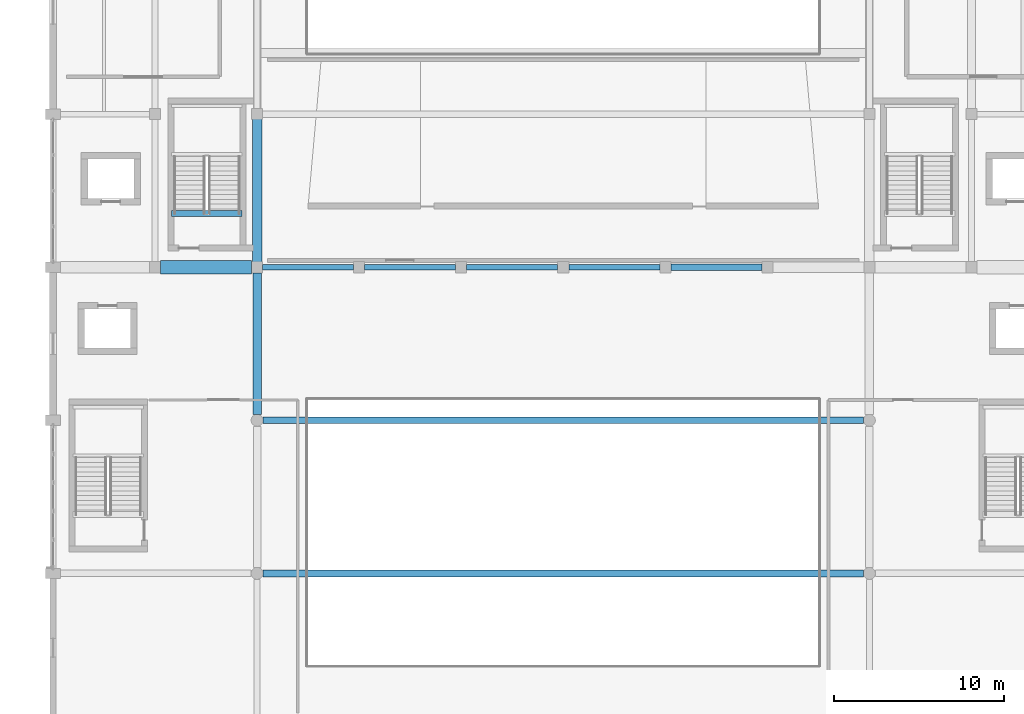
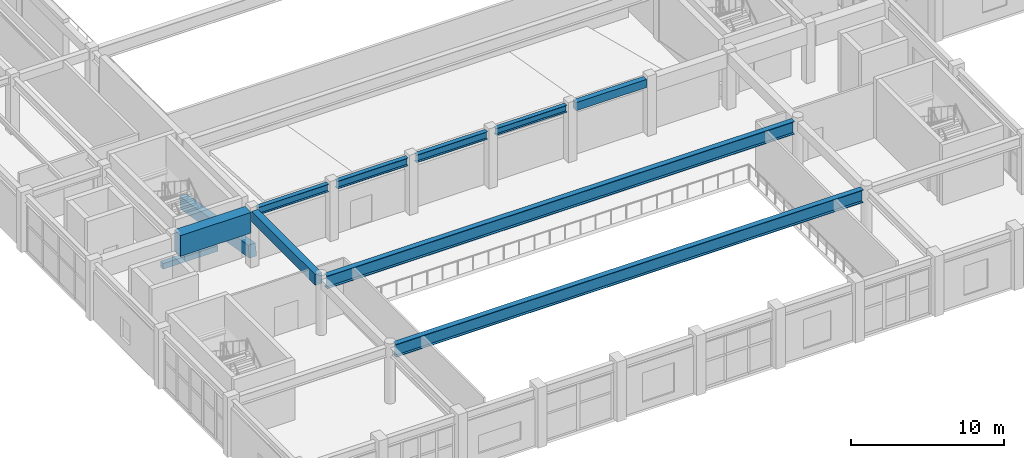
# One storey, part 19 of 85: 11 beams.
"""IFC4 building model written with IfcOpenShell, lengths in metres."""

from ifc_helpers import new_model, si_unit, direction, frame, origin, origin_2d, place, context, subcontext, project, spatial, rectangle, i_section, extrude, material, material_profile, profile_set, type_object, element, save


model = new_model("IFC4")

# Units and contexts
model_context = context("Model", 3, precision=1e-05, world=origin(), true_north=direction((0.0, 1.0)))
body_context = subcontext(model_context, "Body", "Model", "MODEL_VIEW")
ifc_project = project(units=[si_unit("LENGTHUNIT", "METRE"), si_unit("AREAUNIT", "SQUARE_METRE"), si_unit("VOLUMEUNIT", "CUBIC_METRE"), si_unit("PLANEANGLEUNIT", "RADIAN"), si_unit("MASSUNIT", "GRAM", prefix="KILO")], contexts=[model_context])

# Site, building, storey
site_placement = place(None, origin())
site = spatial("IfcSite", under=ifc_project, at=site_placement, CompositionType="ELEMENT")
building_placement = place(site_placement, origin())
building = spatial("IfcBuilding", under=site, at=building_placement, Name="Vaelkrest Opera House", CompositionType="ELEMENT")
storey_placement = place(building_placement, frame((0.0, 0.0, 10.199951171875)))
storey = spatial("IfcBuildingStorey", under=building, at=storey_placement, Name="L02", CompositionType="ELEMENT", Elevation=10.199951171875)

# Beams
ifc_material_1 = material(Name="Concrete C50/60", Category="concrete")
ifc_material_profile_1 = material_profile(ifc_material_1, rectangle(XDim=0.39990234375, YDim=0.64990234375, at=origin_2d()), Name="RCB400X650")
ifc_profile_set_1 = profile_set([ifc_material_profile_1], Name="Concrete C50/60")
beam_type_1 = type_object("IfcBeamType", Name="B01", PredefinedType="BEAM", material=ifc_profile_set_1)
beam_1_placement = place(storey_placement, frame((6.324951171875, -28.800048828125, 4.179931640625), z_axis=(1.0, 0.0, 0.0), x_axis=(0.0, 1.0, 0.0)))
element("IfcBeam", 1, at=beam_1_placement, inside=storey, type_object=beam_type_1, Name="Beam BM-V1-L02-0333", PredefinedType="BEAM", context=body_context, shape_type="SweptSolid", body=[
    extrude(rectangle(XDim=0.39990234375, YDim=0.64990234375, at=origin_2d()), origin(), (0.0, 0.0, 1.0), 5.35009765625),
])
ifc_material_profile_2 = material_profile(ifc_material_1, rectangle(XDim=0.5, YDim=0.85009765625, at=origin_2d()), Name="RCB500X850")
ifc_profile_set_2 = profile_set([ifc_material_profile_2], Name="Concrete C50/60")
beam_type_2 = type_object("IfcBeamType", Name="B03", PredefinedType="BEAM", material=ifc_profile_set_2)
beam_2_placement = place(storey_placement, frame((-18.0, -37.449951171875, 4.080078125), z_axis=(0.0, 1.0, 0.0), x_axis=(-1.0, 0.0, 0.0)))
element("IfcBeam", 2, at=beam_2_placement, inside=storey, type_object=beam_type_2, Name="Beam BM-V1-L02-0380", PredefinedType="BEAM", context=body_context, shape_type="SweptSolid", body=[
    extrude(rectangle(XDim=0.5, YDim=0.85009765625, at=origin_2d()), origin(), (0.0, 0.0, 1.0), 8.324951171875),
])
ifc_material_profile_3 = material_profile(ifc_material_1, rectangle(XDim=0.550048828125, YDim=0.949951171875, at=origin_2d()), Name="RCB550X950")
ifc_profile_set_3 = profile_set([ifc_material_profile_3], Name="Concrete C50/60")
beam_type_3 = type_object("IfcBeamType", Name="B04", PredefinedType="BEAM", material=ifc_profile_set_3)
beam_3_placement = place(storey_placement, frame((-18.0, -19.800048828125, -0.450927734375), z_axis=(0.0, -0.985566738345, 0.169287342318), x_axis=(1.0, 0.0, 0.0)))
element("IfcBeam", 3, at=beam_3_placement, inside=storey, type_object=beam_type_3, Name="Auditorium raker beam 5", PredefinedType="BEAM", context=body_context, shape_type="SweptSolid", body=[
    extrude(rectangle(XDim=0.550048828125, YDim=0.949951171875, at=origin_2d()), origin(), (0.0, 0.0, 1.0), 9.1318359375),
])
ifc_material_profile_4 = material_profile(ifc_material_1, rectangle(XDim=0.800048828125, YDim=1.64990234375, at=origin_2d()), Name="RCB800X1650")
ifc_profile_set_4 = profile_set([ifc_material_profile_4], Name="Concrete C50/60")
beam_type_4 = type_object("IfcBeamType", Name="B07", PredefinedType="BEAM", material=ifc_profile_set_4)
beam_4_placement = place(storey_placement, frame((-23.675048828125, -28.800048828125, 3.679931640625), z_axis=(1.0, 0.0, 0.0), x_axis=(0.0, 1.0, 0.0)))
element("IfcBeam", 4, at=beam_4_placement, inside=storey, type_object=beam_type_4, Name="Beam BM-V1-L02-0328", PredefinedType="BEAM", context=body_context, shape_type="SweptSolid", body=[
    extrude(rectangle(XDim=0.800048828125, YDim=1.64990234375, at=origin_2d()), origin(), (0.0, 0.0, 1.0), 5.35009765625),
])
ifc_material_2 = material(Name="Steel A992 Gr50", Category="steel")
ifc_material_profile_5 = material_profile(ifc_material_2, i_section(OverallWidth=0.323974609375, OverallDepth=0.611083984375, WebThickness=0.0126953125, FlangeThickness=0.01904296875, at=origin_2d()), Name="W24X104")
ifc_profile_set_5 = profile_set([ifc_material_profile_5], Name="Steel A992 Gr50")
beam_type_5 = type_object("IfcBeamType", Name="B08", PredefinedType="BEAM", material=ifc_profile_set_5)
beam_5_placement = place(storey_placement, frame((-17.675048828125, -28.800048828125, 4.199462890625), z_axis=(1.0, 0.0, 0.0), x_axis=(0.0, 1.0, 0.0)))
element("IfcBeam", 5, at=beam_5_placement, inside=storey, type_object=beam_type_5, Name="Beam BM-V1-L02-0329", PredefinedType="BEAM", context=body_context, shape_type="SweptSolid", body=[
    extrude(i_section(OverallWidth=0.323974609375, OverallDepth=0.611083984375, WebThickness=0.0126953125, FlangeThickness=0.01904296875, at=origin_2d()), origin(), (0.0, 0.0, 1.0), 5.35009765625),
])
ifc_material_profile_6 = material_profile(ifc_material_2, i_section(OverallWidth=0.327880859375, OverallDepth=0.6279296875, WebThickness=0.0166015625, FlangeThickness=0.027587890625, at=origin_2d()), Name="W24X146")
ifc_profile_set_6 = profile_set([ifc_material_profile_6], Name="Steel A992 Gr50")
beam_type_6 = type_object("IfcBeamType", Name="B09", PredefinedType="BEAM", material=ifc_profile_set_6)
beam_6_placement = place(storey_placement, frame((-11.675048828125, -28.800048828125, 4.191162109375), z_axis=(1.0, 0.0, 0.0), x_axis=(0.0, 1.0, 0.0)))
element("IfcBeam", 6, at=beam_6_placement, inside=storey, type_object=beam_type_6, Name="Beam BM-V1-L02-0330", PredefinedType="BEAM", context=body_context, shape_type="SweptSolid", body=[
    extrude(i_section(OverallWidth=0.327880859375, OverallDepth=0.6279296875, WebThickness=0.0166015625, FlangeThickness=0.027587890625, at=origin_2d()), origin(), (0.0, 0.0, 1.0), 5.35009765625),
])
ifc_material_profile_7 = material_profile(ifc_material_2, i_section(OverallWidth=0.39990234375, OverallDepth=1.02197265625, WebThickness=0.01904296875, FlangeThickness=0.0361328125, at=origin_2d()), Name="W40X249")
ifc_profile_set_7 = profile_set([ifc_material_profile_7], Name="Steel A992 Gr50")
beam_type_7 = type_object("IfcBeamType", Name="B15", PredefinedType="BEAM", material=ifc_profile_set_7)
for number, where, z_axis, x_axis, name in (
    (7, (-17.64990234375, -46.800048828125, 3.994140625), (1.0, 0.0, 0.0), (0.0, 1.0, 0.0), "Beam BM-V1-L02-0324"),
    (8, (-17.64990234375, -37.800048828125, 3.994140625), (1.0, 0.0, 0.0), (0.0, 1.0, 0.0), "Beam BM-V1-L02-0326"),
):
    element("IfcBeam", number, at=place(storey_placement, frame(where, z_axis=z_axis, x_axis=x_axis)), inside=storey, type_object=beam_type_7, Name=name, PredefinedType="BEAM", context=body_context, shape_type="SweptSolid", body=[
        extrude(i_section(OverallWidth=0.39990234375, OverallDepth=1.02197265625, WebThickness=0.01904296875, FlangeThickness=0.0361328125, at=origin_2d()), origin(), (0.0, 0.0, 1.0), 35.2998046875),
    ])
ifc_material_profile_8 = material_profile(ifc_material_2, i_section(OverallWidth=0.326904296875, OverallDepth=0.6220703125, WebThickness=0.015380859375, FlangeThickness=0.0244140625, at=origin_2d()), Name="W24X131")
ifc_profile_set_8 = profile_set([ifc_material_profile_8], Name="Steel A992 Gr50")
beam_type_8 = type_object("IfcBeamType", Name="B19", PredefinedType="BEAM", material=ifc_profile_set_8)
beam_7_placement = place(storey_placement, frame((-5.675048828125, -28.800048828125, 4.194091796875), z_axis=(1.0, 0.0, 0.0), x_axis=(0.0, 1.0, 0.0)))
element("IfcBeam", 9, at=beam_7_placement, inside=storey, type_object=beam_type_8, Name="Beam BM-V1-L02-0331", PredefinedType="BEAM", context=body_context, shape_type="SweptSolid", body=[
    extrude(i_section(OverallWidth=0.326904296875, OverallDepth=0.6220703125, WebThickness=0.015380859375, FlangeThickness=0.0244140625, at=origin_2d()), origin(), (0.0, 0.0, 1.0), 5.35009765625),
])
ifc_material_profile_9 = material_profile(ifc_material_2, i_section(OverallWidth=0.31494140625, OverallDepth=0.551025390625, WebThickness=0.01513671875, FlangeThickness=0.0244140625, at=origin_2d()), Name="W21X122")
ifc_profile_set_9 = profile_set([ifc_material_profile_9], Name="Steel A992 Gr50")
beam_type_9 = type_object("IfcBeamType", Name="B20", PredefinedType="BEAM", material=ifc_profile_set_9)
beam_8_placement = place(storey_placement, frame((0.324951171875, -28.800048828125, 4.2294921875), z_axis=(1.0, 0.0, 0.0), x_axis=(0.0, 1.0, 0.0)))
element("IfcBeam", 10, at=beam_8_placement, inside=storey, type_object=beam_type_9, Name="Beam BM-V1-L02-0332", PredefinedType="BEAM", context=body_context, shape_type="SweptSolid", body=[
    extrude(i_section(OverallWidth=0.31494140625, OverallDepth=0.551025390625, WebThickness=0.01513671875, FlangeThickness=0.0244140625, at=origin_2d()), origin(), (0.0, 0.0, 1.0), 5.35009765625),
])
ifc_material_profile_10 = material_profile(ifc_material_1, rectangle(XDim=0.35009765625, YDim=0.449951171875, at=origin_2d()), Name="RCB350X450")
ifc_profile_set_10 = profile_set([ifc_material_profile_10], Name="Concrete C50/60")
beam_type_10 = type_object("IfcBeamType", Name="LN01", PredefinedType="LINTEL", material=ifc_profile_set_10)
beam_9_placement = place(storey_placement, frame((-23.02001953125, -25.64990234375, -0.224853515625), z_axis=(1.0, 0.0, 0.0), x_axis=(0.0, 1.0, 0.0)))
element("IfcBeam", 11, at=beam_9_placement, inside=storey, type_object=beam_type_10, Name="Stairwell trimmer beam ST01 L02", PredefinedType="LINTEL", context=body_context, shape_type="SweptSolid", body=[
    extrude(rectangle(XDim=0.35009765625, YDim=0.449951171875, at=origin_2d()), origin(), (0.0, 0.0, 1.0), 4.14013671875),
])

save(model, "model.ifc")
